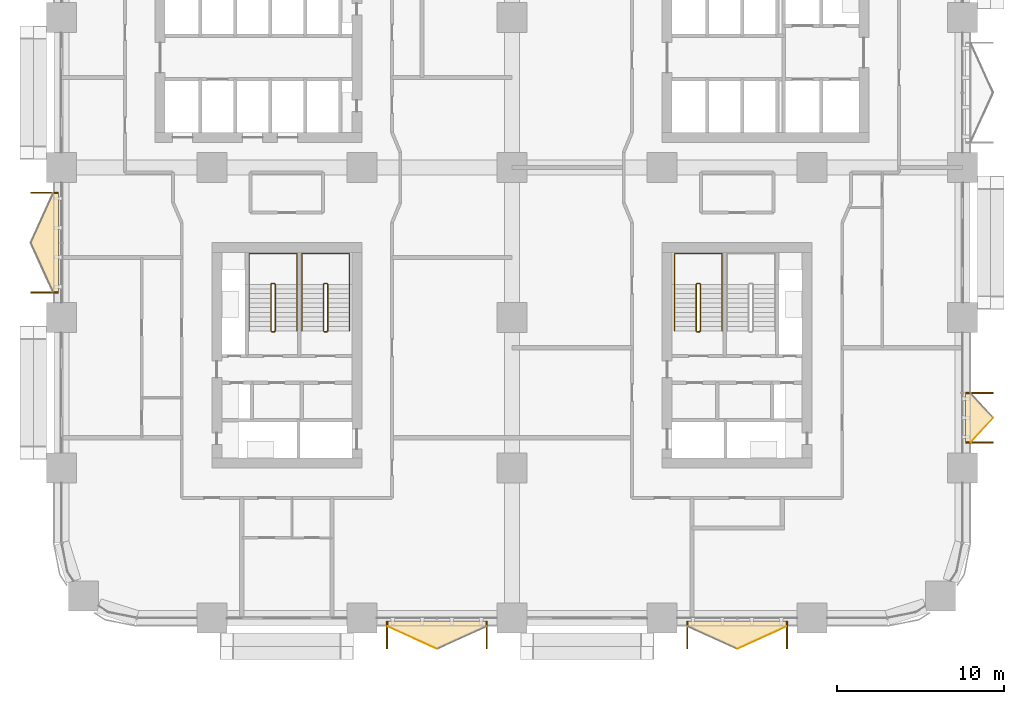
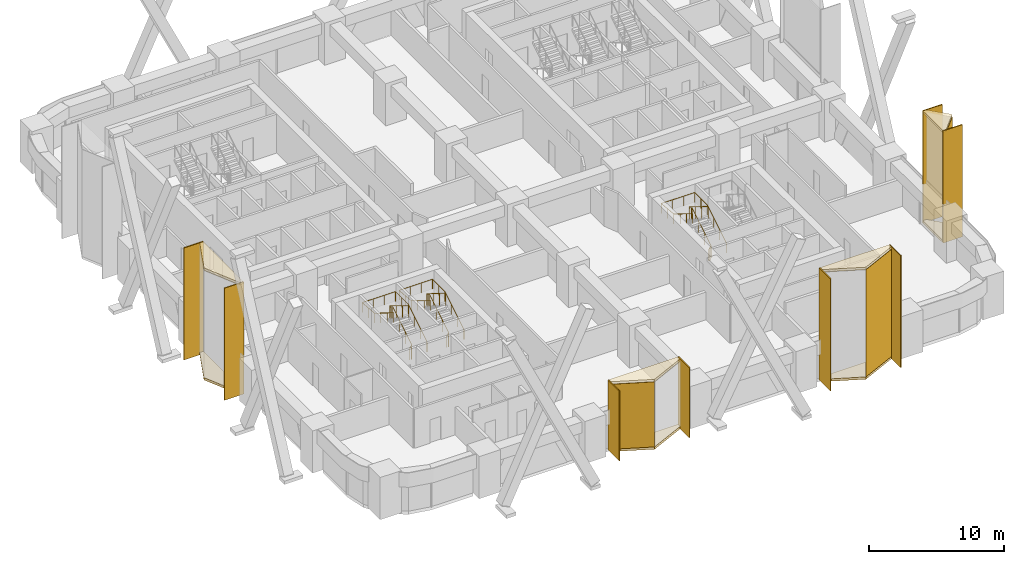
# One storey, part 24 of 26: 19 coverings, 6 railings.
"""IFC4 building model written with IfcOpenShell, lengths in metres."""

import ifcopenshell
import ifcopenshell.guid

model = None  # the IFC model being written
_history = None  # IfcOwnerHistory: only IFC2X3 demands one
_inside = {}  # id of a spatial element -> (the spatial element, [elements in it])
_under = {}  # id of a project, library or spatial element -> (it, [spatial elements below it])
_declared = {}  # id of a project -> (the project, [libraries it declares])
_typed = {}  # id of a type object -> (the type object, [elements of that type])
_made_of = {}  # id of a material, layer set ... -> (it, [elements and type objects made of it])


def new_model(schema):
    """Start an empty IFC model of exactly this schema.

    Asked for "IFC4X3", IfcOpenShell would pick the latest addendum, in which some entities
    have other attributes; the version numbers below select the first issue.
    IFC2X3 requires an IfcOwnerHistory on every rooted entity: one is made here for all.
    """
    global model, _history
    if schema == "IFC4X3":
        model = ifcopenshell.file(schema_version=(4, 3, 0, 0))
    else:
        model = ifcopenshell.file(schema=schema)
    _inside.clear()
    _under.clear()
    _declared.clear()
    _typed.clear()
    _made_of.clear()
    _history = None
    if model.schema == "IFC2X3":
        org = make("IfcOrganization", Name="unknown")
        user = make(
            "IfcPersonAndOrganization",
            ThePerson=make("IfcPerson", FamilyName="unknown"),
            TheOrganization=org,
        )
        app = make(
            "IfcApplication",
            ApplicationDeveloper=org,
            Version="unknown",
            ApplicationFullName="unknown",
            ApplicationIdentifier="unknown",
        )
        _history = make(
            "IfcOwnerHistory",
            OwningUser=user,
            OwningApplication=app,
            ChangeAction="ADDED",
            CreationDate=0,
        )
    return model


def make(cls, **values):
    """One entity of the class cls with the attributes given. An attribute that is None is left unset."""
    return model.create_entity(
        cls, **{name: value for name, value in values.items() if value is not None}
    )


def rooted(cls, **values):
    """An entity with a GlobalId (a new one), such as an element, a storey or a relation."""
    return make(cls, GlobalId=ifcopenshell.guid.new(), OwnerHistory=_history, **values)


def si_unit(unit_type, name, prefix=None):
    """IfcSIUnit, for example si_unit("LENGTHUNIT", "METRE", prefix="MILLI")."""
    return make("IfcSIUnit", UnitType=unit_type, Prefix=prefix, Name=name)


def assignment(units):
    """IfcUnitAssignment: the units of a project."""
    return None if units is None else make("IfcUnitAssignment", Units=units)


def point(xyz):
    """IfcCartesianPoint."""
    return None if xyz is None else make("IfcCartesianPoint", Coordinates=xyz)


def direction(xyz):
    """IfcDirection."""
    return None if xyz is None else make("IfcDirection", DirectionRatios=xyz)


def frame(location, z_axis=None, x_axis=None):
    """IfcAxis2Placement3D, a coordinate frame: its origin and axes. An axis left out is left unset."""
    return make(
        "IfcAxis2Placement3D",
        Location=point(location),
        Axis=direction(z_axis),
        RefDirection=direction(x_axis),
    )


def frame_2d(location, x_axis=None):
    """IfcAxis2Placement2D, a coordinate frame in the plane: its origin and x axis."""
    return make(
        "IfcAxis2Placement2D", Location=point(location), RefDirection=direction(x_axis)
    )


def origin():
    """The frame at (0, 0, 0) with its axes left unset."""
    return frame((0.0, 0.0, 0.0))


def origin_2d():
    """The frame at (0, 0) in the plane with its x axis left unset."""
    return frame_2d((0.0, 0.0))


def place(relative_to, where):
    """IfcLocalPlacement: puts the frame where relative to a parent placement (None: the world)."""
    return make(
        "IfcLocalPlacement", PlacementRelTo=relative_to, RelativePlacement=where
    )


def context(
    kind, dimensions, precision=None, world=None, true_north=None, identifier=None
):
    """IfcGeometricRepresentationContext, for example the 3D "Model" context."""
    return make(
        "IfcGeometricRepresentationContext",
        ContextIdentifier=identifier,
        ContextType=kind,
        CoordinateSpaceDimension=dimensions,
        Precision=precision,
        WorldCoordinateSystem=world,
        TrueNorth=true_north,
    )


def subcontext(parent, identifier, kind, view, scale=None):
    """IfcGeometricRepresentationSubContext, for example "Body" below "Model"."""
    return make(
        "IfcGeometricRepresentationSubContext",
        ContextIdentifier=identifier,
        ContextType=kind,
        ParentContext=parent,
        TargetScale=scale,
        TargetView=view,
    )


def project(units=None, contexts=None):
    """IfcProject with its units and contexts."""
    return rooted(
        "IfcProject",
        Name="project",
        RepresentationContexts=contexts,
        UnitsInContext=assignment(units),
    )


def spatial(cls, under=None, at=None, **own):
    """A site, building, storey or space (cls), placed at a placement, below another one or the project."""
    s = rooted(cls, ObjectPlacement=at, **own)
    if under is not None:
        _under.setdefault(under.id(), (under, []))[1].append(s)
    return s


def polyline(points):
    """IfcPolyline through the points."""
    return make("IfcPolyline", Points=[point(p) for p in points])


def profile(cls, at=None, kind="AREA", **sizes):
    """A parametric profile (cls). Its sizes go by their IFC names, for example OverallWidth=200.0."""
    return make(cls, ProfileType=kind, Position=at, **sizes)


def rectangle(**sizes):
    """IfcRectangleProfileDef."""
    return profile("IfcRectangleProfileDef", **sizes)


def circle(**sizes):
    """IfcCircleProfileDef."""
    return profile("IfcCircleProfileDef", **sizes)


def outline(outer, holes=None, kind="AREA"):
    """IfcArbitraryClosedProfileDef: a profile drawn as a closed curve; with holes, ...WithVoids."""
    if holes is None:
        return make("IfcArbitraryClosedProfileDef", ProfileType=kind, OuterCurve=outer)
    return make(
        "IfcArbitraryProfileDefWithVoids",
        ProfileType=kind,
        OuterCurve=outer,
        InnerCurves=holes,
    )


def extrude(swept, where, along, depth):
    """IfcExtrudedAreaSolid: the profile swept, set in the frame where, extruded along a direction by depth."""
    return make(
        "IfcExtrudedAreaSolid",
        SweptArea=swept,
        Position=where,
        ExtrudedDirection=direction(along),
        Depth=depth,
    )


def shape(context_of_items, identifier, shape_type, items):
    """IfcShapeRepresentation: the items that make up one representation, for example the "Body"."""
    return make(
        "IfcShapeRepresentation",
        ContextOfItems=context_of_items,
        RepresentationIdentifier=identifier,
        RepresentationType=shape_type,
        Items=items,
    )


def material(Name=None, Category=None):
    """IfcMaterial."""
    return make("IfcMaterial", Name=Name, Category=Category)


def layer(
    of_material, thickness, ventilated=None, Name=None, Category=None, Priority=None
):
    """IfcMaterialLayer: one layer of a wall or slab, of a material (None: an air gap)."""
    return make(
        "IfcMaterialLayer",
        Material=of_material,
        LayerThickness=thickness,
        IsVentilated=ventilated,
        Name=Name,
        Category=Category,
        Priority=Priority,
    )


def layer_set(layers, Name=None):
    """IfcMaterialLayerSet."""
    return make("IfcMaterialLayerSet", MaterialLayers=layers, LayerSetName=Name)


def made_of(thing, what):
    """Note that an element or type object is made of a material, layer set ...; save() writes the relation."""
    if what is not None:
        _made_of.setdefault(what.id(), (what, []))[1].append(thing)
    return thing


def type_object(cls, material=None, **own):
    """A type object (cls), such as IfcWallType, which elements share."""
    return made_of(rooted(cls, **own), material)


def element(
    cls,
    number,
    at=None,
    inside=None,
    cuts=None,
    type_object=None,
    material=None,
    context=None,
    identifier="Body",
    shape_type=None,
    held_by="IfcProductDefinitionShape",
    body=None,
    shapes=None,
    **own,
):
    """One element of the class cls, such as IfcWall. Its Tag is "e" and its number.

    at: its placement. inside: the storey or other place that contains it. cuts: it is an
    opening in that element (IfcRelVoidsElement). A single representation is given by context,
    identifier, shape_type and body (its items); several are given by shapes. held_by: the class
    of the entity that holds the representations. save() writes the other relations.
    """
    e = rooted(cls, Tag="e%d" % number, ObjectPlacement=at, **own)
    if body is not None:
        shapes = [shape(context, identifier, shape_type, body)]
    if shapes is not None:
        e.Representation = make(held_by, Representations=shapes)
    if inside is not None:
        _inside.setdefault(inside.id(), (inside, []))[1].append(e)
    if cuts is not None:
        rooted(
            "IfcRelVoidsElement", RelatingBuildingElement=cuts, RelatedOpeningElement=e
        )
    if type_object is not None:
        _typed.setdefault(type_object.id(), (type_object, []))[1].append(e)
    return made_of(e, material)


def aggregate(whole, parts):
    """IfcRelAggregates: a whole, such as a stair, and the parts it consists of."""
    return rooted("IfcRelAggregates", RelatingObject=whole, RelatedObjects=parts)


def save(model, path):
    """Write the relations noted so far, then the file.

    IfcRelAggregates (storeys below a building ...), IfcRelContainedInSpatialStructure (elements
    in a storey), IfcRelDefinesByType, IfcRelAssociatesMaterial and IfcRelDeclares: one each for
    every whole, place, type object, material and project.
    """
    for whole, parts in _under.values():
        aggregate(whole, parts)
    for where, things in _inside.values():
        rooted(
            "IfcRelContainedInSpatialStructure",
            RelatedElements=things,
            RelatingStructure=where,
        )
    for kind, things in _typed.values():
        rooted("IfcRelDefinesByType", RelatedObjects=things, RelatingType=kind)
    for what, things in _made_of.values():
        rooted("IfcRelAssociatesMaterial", RelatedObjects=things, RelatingMaterial=what)
    for by, libraries in _declared.values():
        rooted("IfcRelDeclares", RelatingContext=by, RelatedDefinitions=libraries)
    model.write(path)


model = new_model("IFC4")

# Units and contexts
model_context = context("Model", 3, precision=1e-05, world=origin(), true_north=direction((0.0, 1.0)))
body_context = subcontext(model_context, "Body", "Model", "MODEL_VIEW")
ifc_project = project(units=[si_unit("LENGTHUNIT", "METRE"), si_unit("AREAUNIT", "SQUARE_METRE"), si_unit("VOLUMEUNIT", "CUBIC_METRE"), si_unit("PLANEANGLEUNIT", "RADIAN"), si_unit("MASSUNIT", "GRAM", prefix="KILO")], contexts=[model_context])

# Site, building, storey
site_placement = place(None, origin())
site = spatial("IfcSite", under=ifc_project, at=site_placement, CompositionType="ELEMENT")
building_placement = place(site_placement, origin())
building = spatial("IfcBuilding", under=site, at=building_placement, Name="Tessera Arch", CompositionType="ELEMENT")
storey_placement = place(building_placement, frame((0.0, 0.0, 31.0)))
storey = spatial("IfcBuildingStorey", under=building, at=storey_placement, Name="L05", CompositionType="ELEMENT", Elevation=31.0)

# Railings
ifc_material_1 = material(Name="Painted steel balustrade", Category="steel")
railing_type_1 = type_object("IfcRailingType", Name="Stair guard 1100", PredefinedType="GUARDRAIL", material=ifc_material_1)
railing_1_placement = place(storey_placement, frame((38.25, 17.14990234375, 0.0)))
element("IfcRailing", 1, at=railing_1_placement, inside=storey, type_object=railing_type_1, Name="L05 S3a stair guard 1", PredefinedType="GUARDRAIL", context=body_context, shape_type="SweptSolid", body=[
    extrude(circle(Radius=0.02392578125, at=origin_2d()), frame((0.00390625, 0.0, 1.076171875), z_axis=(-1.0, 0.0, 0.0), x_axis=(0.0, -1.0, 0.0)), (0.0, 0.0, 1.0), 0.157958984375),
    extrude(circle(Radius=0.02392578125, at=origin_2d()), frame((-0.15283203125, -0.000732421875, 1.073486328125), z_axis=(0.743736083135, 0.18616104645, 0.642028584587), x_axis=(-0.242814311512, 0.970072785993, 0.0)), (0.0, 0.0, 1.0), 0.27685546875),
    extrude(circle(Radius=0.02392578125, at=origin_2d()), frame((0.050048828125, 0.046630859375, 1.24658203125), z_axis=(0.0, 0.851089632645, 0.525020415988), x_axis=(-1.0, 0.0, 0.0)), (0.0, 0.0, 1.0), 3.2978515625),
    extrude(circle(Radius=0.02392578125, at=origin_2d()), frame((0.052978515625, 2.84716796875, 2.97607421875), z_axis=(-0.707106781187, 0.707106781187, 0.0), x_axis=(-0.707106781187, -0.707106781187, 0.0)), (0.0, 0.0, 1.0), 0.078857421875),
    extrude(circle(Radius=0.02392578125, at=origin_2d()), frame((0.00390625, 2.900146484375, 2.97607421875), z_axis=(-1.0, 0.0, 0.0), x_axis=(0.0, -1.0, 0.0)), (0.0, 0.0, 1.0), 0.157958984375),
    extrude(circle(Radius=0.02392578125, at=origin_2d()), frame((-0.14892578125, 2.901123046875, 2.97216796875), z_axis=(-0.267953482034, -0.267953482034, 0.925419830635), x_axis=(0.707106781187, -0.707106781187, 0.0)), (0.0, 0.0, 1.0), 0.19482421875),
    extrude(circle(Radius=0.02392578125, at=origin_2d()), frame((-0.199951171875, 2.853515625, 3.146728515625), z_axis=(0.0, -0.851089632645, 0.525020415988), x_axis=(1.0, 0.0, 0.0)), (0.0, 0.0, 1.0), 3.2978515625),
    extrude(circle(Radius=0.02099609375, at=origin_2d()), origin(), (0.0, 0.0, 1.0), 1.06396484375),
    extrude(circle(Radius=0.02099609375, at=origin_2d()), frame((-0.14990234375, 0.0, 0.0)), (0.0, 0.0, 1.0), 1.06396484375),
    extrude(circle(Radius=0.02099609375, at=origin_2d()), frame((0.050048828125, 0.050048828125, 0.172607421875)), (0.0, 0.0, 1.0), 1.06396484375),
    extrude(circle(Radius=0.02099609375, at=origin_2d()), frame((0.050048828125, 0.9833984375, 0.748291015625)), (0.0, 0.0, 1.0), 1.06396484375),
    extrude(circle(Radius=0.02099609375, at=origin_2d()), frame((0.050048828125, 1.916748046875, 1.32421875)), (0.0, 0.0, 1.0), 1.06396484375),
    extrude(circle(Radius=0.02099609375, at=origin_2d()), frame((0.050048828125, 2.85009765625, 1.89990234375)), (0.0, 0.0, 1.0), 1.06396484375),
    extrude(circle(Radius=0.02099609375, at=origin_2d()), frame((0.0, 2.900146484375, 1.89990234375)), (0.0, 0.0, 1.0), 1.06396484375),
    extrude(circle(Radius=0.02099609375, at=origin_2d()), frame((-0.14990234375, 2.900146484375, 1.89990234375)), (0.0, 0.0, 1.0), 1.06396484375),
    extrude(circle(Radius=0.02099609375, at=origin_2d()), frame((-0.199951171875, 2.85009765625, 2.07275390625)), (0.0, 0.0, 1.0), 1.06396484375),
    extrude(circle(Radius=0.02099609375, at=origin_2d()), frame((-0.199951171875, 1.916748046875, 2.6484375)), (0.0, 0.0, 1.0), 1.06396484375),
    extrude(circle(Radius=0.02099609375, at=origin_2d()), frame((-0.199951171875, 0.9833984375, 3.224365234375)), (0.0, 0.0, 1.0), 1.06396484375),
    extrude(circle(Radius=0.02099609375, at=origin_2d()), frame((-0.199951171875, 0.050048828125, 3.800048828125)), (0.0, 0.0, 1.0), 1.06396484375),
])
railing_2_placement = place(storey_placement, frame((15.89990234375, 17.14990234375, 0.0)))
element("IfcRailing", 2, at=railing_2_placement, inside=storey, type_object=railing_type_1, Name="L05 S4a stair guard 1", PredefinedType="GUARDRAIL", context=body_context, shape_type="SweptSolid", body=[
    extrude(circle(Radius=0.02392578125, at=origin_2d()), frame((0.00390625, 0.0, 1.076171875), z_axis=(-1.0, 0.0, 0.0), x_axis=(0.0, -1.0, 0.0)), (0.0, 0.0, 1.0), 0.157958984375),
    extrude(circle(Radius=0.02392578125, at=origin_2d()), frame((-0.15283203125, -0.000732421875, 1.073486328125), z_axis=(0.743736083135, 0.18616104645, 0.642028584587), x_axis=(-0.242814311512, 0.970072785993, 0.0)), (0.0, 0.0, 1.0), 0.27685546875),
    extrude(circle(Radius=0.02392578125, at=origin_2d()), frame((0.050048828125, 0.046630859375, 1.24658203125), z_axis=(0.0, 0.851089632645, 0.525020415988), x_axis=(-1.0, 0.0, 0.0)), (0.0, 0.0, 1.0), 3.2978515625),
    extrude(circle(Radius=0.02392578125, at=origin_2d()), frame((0.052978515625, 2.84716796875, 2.97607421875), z_axis=(-0.707106781187, 0.707106781187, 0.0), x_axis=(-0.707106781187, -0.707106781187, 0.0)), (0.0, 0.0, 1.0), 0.078857421875),
    extrude(circle(Radius=0.02392578125, at=origin_2d()), frame((0.00390625, 2.900146484375, 2.97607421875), z_axis=(-1.0, 0.0, 0.0), x_axis=(0.0, -1.0, 0.0)), (0.0, 0.0, 1.0), 0.157958984375),
    extrude(circle(Radius=0.02392578125, at=origin_2d()), frame((-0.14892578125, 2.901123046875, 2.97216796875), z_axis=(-0.267953482034, -0.267953482034, 0.925419830635), x_axis=(0.707106781187, -0.707106781187, 0.0)), (0.0, 0.0, 1.0), 0.19482421875),
    extrude(circle(Radius=0.02392578125, at=origin_2d()), frame((-0.199951171875, 2.853515625, 3.146728515625), z_axis=(0.0, -0.851089632645, 0.525020415988), x_axis=(1.0, 0.0, 0.0)), (0.0, 0.0, 1.0), 3.2978515625),
    extrude(circle(Radius=0.02099609375, at=origin_2d()), origin(), (0.0, 0.0, 1.0), 1.06396484375),
    extrude(circle(Radius=0.02099609375, at=origin_2d()), frame((-0.14990234375, 0.0, 0.0)), (0.0, 0.0, 1.0), 1.06396484375),
    extrude(circle(Radius=0.02099609375, at=origin_2d()), frame((0.050048828125, 0.050048828125, 0.172607421875)), (0.0, 0.0, 1.0), 1.06396484375),
    extrude(circle(Radius=0.02099609375, at=origin_2d()), frame((0.050048828125, 0.9833984375, 0.748291015625)), (0.0, 0.0, 1.0), 1.06396484375),
    extrude(circle(Radius=0.02099609375, at=origin_2d()), frame((0.050048828125, 1.916748046875, 1.32421875)), (0.0, 0.0, 1.0), 1.06396484375),
    extrude(circle(Radius=0.02099609375, at=origin_2d()), frame((0.050048828125, 2.85009765625, 1.89990234375)), (0.0, 0.0, 1.0), 1.06396484375),
    extrude(circle(Radius=0.02099609375, at=origin_2d()), frame((0.0, 2.900146484375, 1.89990234375)), (0.0, 0.0, 1.0), 1.06396484375),
    extrude(circle(Radius=0.02099609375, at=origin_2d()), frame((-0.14990234375, 2.900146484375, 1.89990234375)), (0.0, 0.0, 1.0), 1.06396484375),
    extrude(circle(Radius=0.02099609375, at=origin_2d()), frame((-0.199951171875, 2.85009765625, 2.07275390625)), (0.0, 0.0, 1.0), 1.06396484375),
    extrude(circle(Radius=0.02099609375, at=origin_2d()), frame((-0.199951171875, 1.916748046875, 2.6484375)), (0.0, 0.0, 1.0), 1.06396484375),
    extrude(circle(Radius=0.02099609375, at=origin_2d()), frame((-0.199951171875, 0.9833984375, 3.224365234375)), (0.0, 0.0, 1.0), 1.06396484375),
    extrude(circle(Radius=0.02099609375, at=origin_2d()), frame((-0.199951171875, 0.050048828125, 3.800048828125)), (0.0, 0.0, 1.0), 1.06396484375),
])
railing_3_placement = place(storey_placement, frame((12.75, 17.14990234375, 0.0)))
element("IfcRailing", 3, at=railing_3_placement, inside=storey, type_object=railing_type_1, Name="L05 S4b stair guard 1", PredefinedType="GUARDRAIL", context=body_context, shape_type="SweptSolid", body=[
    extrude(circle(Radius=0.02392578125, at=origin_2d()), frame((0.00390625, 0.0, 1.076171875), z_axis=(-1.0, 0.0, 0.0), x_axis=(0.0, -1.0, 0.0)), (0.0, 0.0, 1.0), 0.157958984375),
    extrude(circle(Radius=0.02392578125, at=origin_2d()), frame((-0.15283203125, -0.000732421875, 1.073486328125), z_axis=(0.743736083135, 0.18616104645, 0.642028584587), x_axis=(-0.242814311512, 0.970072785993, 0.0)), (0.0, 0.0, 1.0), 0.27685546875),
    extrude(circle(Radius=0.02392578125, at=origin_2d()), frame((0.050048828125, 0.046630859375, 1.24658203125), z_axis=(0.0, 0.851089632645, 0.525020415988), x_axis=(-1.0, 0.0, 0.0)), (0.0, 0.0, 1.0), 3.2978515625),
    extrude(circle(Radius=0.02392578125, at=origin_2d()), frame((0.052978515625, 2.84716796875, 2.97607421875), z_axis=(-0.707106781187, 0.707106781187, 0.0), x_axis=(-0.707106781187, -0.707106781187, 0.0)), (0.0, 0.0, 1.0), 0.078857421875),
    extrude(circle(Radius=0.02392578125, at=origin_2d()), frame((0.00390625, 2.900146484375, 2.97607421875), z_axis=(-1.0, 0.0, 0.0), x_axis=(0.0, -1.0, 0.0)), (0.0, 0.0, 1.0), 0.157958984375),
    extrude(circle(Radius=0.02392578125, at=origin_2d()), frame((-0.14892578125, 2.901123046875, 2.97216796875), z_axis=(-0.267953482034, -0.267953482034, 0.925419830635), x_axis=(0.707106781187, -0.707106781187, 0.0)), (0.0, 0.0, 1.0), 0.19482421875),
    extrude(circle(Radius=0.02392578125, at=origin_2d()), frame((-0.199951171875, 2.853515625, 3.146728515625), z_axis=(0.0, -0.851089632645, 0.525020415988), x_axis=(1.0, 0.0, 0.0)), (0.0, 0.0, 1.0), 3.2978515625),
    extrude(circle(Radius=0.02099609375, at=origin_2d()), origin(), (0.0, 0.0, 1.0), 1.06396484375),
    extrude(circle(Radius=0.02099609375, at=origin_2d()), frame((-0.14990234375, 0.0, 0.0)), (0.0, 0.0, 1.0), 1.06396484375),
    extrude(circle(Radius=0.02099609375, at=origin_2d()), frame((0.050048828125, 0.050048828125, 0.172607421875)), (0.0, 0.0, 1.0), 1.06396484375),
    extrude(circle(Radius=0.02099609375, at=origin_2d()), frame((0.050048828125, 0.9833984375, 0.748291015625)), (0.0, 0.0, 1.0), 1.06396484375),
    extrude(circle(Radius=0.02099609375, at=origin_2d()), frame((0.050048828125, 1.916748046875, 1.32421875)), (0.0, 0.0, 1.0), 1.06396484375),
    extrude(circle(Radius=0.02099609375, at=origin_2d()), frame((0.050048828125, 2.85009765625, 1.89990234375)), (0.0, 0.0, 1.0), 1.06396484375),
    extrude(circle(Radius=0.02099609375, at=origin_2d()), frame((0.0, 2.900146484375, 1.89990234375)), (0.0, 0.0, 1.0), 1.06396484375),
    extrude(circle(Radius=0.02099609375, at=origin_2d()), frame((-0.14990234375, 2.900146484375, 1.89990234375)), (0.0, 0.0, 1.0), 1.06396484375),
    extrude(circle(Radius=0.02099609375, at=origin_2d()), frame((-0.199951171875, 2.85009765625, 2.07275390625)), (0.0, 0.0, 1.0), 1.06396484375),
    extrude(circle(Radius=0.02099609375, at=origin_2d()), frame((-0.199951171875, 1.916748046875, 2.6484375)), (0.0, 0.0, 1.0), 1.06396484375),
    extrude(circle(Radius=0.02099609375, at=origin_2d()), frame((-0.199951171875, 0.9833984375, 3.224365234375)), (0.0, 0.0, 1.0), 1.06396484375),
    extrude(circle(Radius=0.02099609375, at=origin_2d()), frame((-0.199951171875, 0.050048828125, 3.800048828125)), (0.0, 0.0, 1.0), 1.06396484375),
])
ifc_material_2 = material(Name="Painted steel handrail", Category="steel")
railing_type_2 = type_object("IfcRailingType", Name="Stair handrail 900", PredefinedType="HANDRAIL", material=ifc_material_2)
railing_4_placement = place(storey_placement, frame((39.60009765625, 17.199951171875, 0.172607421875)))
element("IfcRailing", 4, at=railing_4_placement, inside=storey, type_object=railing_type_2, Name="L05 S3a stair handrail", PredefinedType="HANDRAIL", context=body_context, shape_type="SweptSolid", body=[
    extrude(circle(Radius=0.02392578125, at=origin_2d()), frame((0.0, -0.00341796875, 0.873779296875), z_axis=(0.0, 0.851089632645, 0.525020415988), x_axis=(-1.0, 0.0, 0.0)), (0.0, 0.0, 1.0), 3.2978515625),
    extrude(circle(Radius=0.02392578125, at=origin_2d()), frame((0.0, 2.796142578125, 2.60302734375), z_axis=(0.0, 1.0, 0.0), x_axis=(-1.0, 0.0, 0.0)), (0.0, 0.0, 1.0), 1.858154296875),
    extrude(circle(Radius=0.02392578125, at=origin_2d()), frame((0.00390625, 4.650146484375, 2.60302734375), z_axis=(-1.0, 0.0, 0.0), x_axis=(0.0, -1.0, 0.0)), (0.0, 0.0, 1.0), 2.858154296875),
    extrude(circle(Radius=0.02392578125, at=origin_2d()), frame((-2.85009765625, 4.654052734375, 2.602783203125), z_axis=(0.0, -0.99566393824, 0.093023234135), x_axis=(1.0, 0.0, 0.0)), (0.0, 0.0, 1.0), 1.8662109375),
    extrude(circle(Radius=0.02392578125, at=origin_2d()), frame((-2.85009765625, 2.803466796875, 2.77392578125), z_axis=(0.0, -0.851089632645, 0.525020415988), x_axis=(1.0, 0.0, 0.0)), (0.0, 0.0, 1.0), 3.2978515625),
    extrude(circle(Radius=0.02099609375, at=origin_2d()), origin(), (0.0, 0.0, 1.0), 0.86376953125),
    extrude(circle(Radius=0.02099609375, at=origin_2d()), frame((0.0, 0.933349609375, 0.57568359375)), (0.0, 0.0, 1.0), 0.86376953125),
    extrude(circle(Radius=0.02099609375, at=origin_2d()), frame((0.0, 1.86669921875, 1.151611328125)), (0.0, 0.0, 1.0), 0.86376953125),
    extrude(circle(Radius=0.02099609375, at=origin_2d()), frame((0.0, 2.800048828125, 1.727294921875)), (0.0, 0.0, 1.0), 0.86376953125),
    extrude(circle(Radius=0.02099609375, at=origin_2d()), frame((0.0, 3.72509765625, 1.727294921875)), (0.0, 0.0, 1.0), 0.86376953125),
    extrude(circle(Radius=0.02099609375, at=origin_2d()), frame((0.0, 4.650146484375, 1.727294921875)), (0.0, 0.0, 1.0), 0.86376953125),
    extrude(circle(Radius=0.02099609375, at=origin_2d()), frame((-0.949951171875, 4.650146484375, 1.727294921875)), (0.0, 0.0, 1.0), 0.86376953125),
    extrude(circle(Radius=0.02099609375, at=origin_2d()), frame((-1.900146484375, 4.650146484375, 1.727294921875)), (0.0, 0.0, 1.0), 0.86376953125),
    extrude(circle(Radius=0.02099609375, at=origin_2d()), frame((-2.85009765625, 4.650146484375, 1.727294921875)), (0.0, 0.0, 1.0), 0.86376953125),
    extrude(circle(Radius=0.02099609375, at=origin_2d()), frame((-2.85009765625, 3.72509765625, 1.813720703125)), (0.0, 0.0, 1.0), 0.86376953125),
    extrude(circle(Radius=0.02099609375, at=origin_2d()), frame((-2.85009765625, 2.800048828125, 1.900146484375)), (0.0, 0.0, 1.0), 0.86376953125),
    extrude(circle(Radius=0.02099609375, at=origin_2d()), frame((-2.85009765625, 1.86669921875, 2.475830078125)), (0.0, 0.0, 1.0), 0.86376953125),
    extrude(circle(Radius=0.02099609375, at=origin_2d()), frame((-2.85009765625, 0.933349609375, 3.0517578125)), (0.0, 0.0, 1.0), 0.86376953125),
    extrude(circle(Radius=0.02099609375, at=origin_2d()), frame((-2.85009765625, 0.0, 3.62744140625)), (0.0, 0.0, 1.0), 0.86376953125),
])
railing_5_placement = place(storey_placement, frame((17.25, 17.199951171875, 0.172607421875)))
element("IfcRailing", 5, at=railing_5_placement, inside=storey, type_object=railing_type_2, Name="L05 S4a stair handrail", PredefinedType="HANDRAIL", context=body_context, shape_type="SweptSolid", body=[
    extrude(circle(Radius=0.02392578125, at=origin_2d()), frame((0.0, -0.00341796875, 0.873779296875), z_axis=(0.0, 0.851089632645, 0.525020415988), x_axis=(-1.0, 0.0, 0.0)), (0.0, 0.0, 1.0), 3.2978515625),
    extrude(circle(Radius=0.02392578125, at=origin_2d()), frame((0.0, 2.796142578125, 2.60302734375), z_axis=(0.0, 1.0, 0.0), x_axis=(-1.0, 0.0, 0.0)), (0.0, 0.0, 1.0), 1.858154296875),
    extrude(circle(Radius=0.02392578125, at=origin_2d()), frame((0.00390625, 4.650146484375, 2.60302734375), z_axis=(-1.0, 0.0, 0.0), x_axis=(0.0, -1.0, 0.0)), (0.0, 0.0, 1.0), 2.858154296875),
    extrude(circle(Radius=0.02392578125, at=origin_2d()), frame((-2.85009765625, 4.654052734375, 2.602783203125), z_axis=(0.0, -0.99566393824, 0.093023234135), x_axis=(1.0, 0.0, 0.0)), (0.0, 0.0, 1.0), 1.8662109375),
    extrude(circle(Radius=0.02392578125, at=origin_2d()), frame((-2.85009765625, 2.803466796875, 2.77392578125), z_axis=(0.0, -0.851089632645, 0.525020415988), x_axis=(1.0, 0.0, 0.0)), (0.0, 0.0, 1.0), 3.2978515625),
    extrude(circle(Radius=0.02099609375, at=origin_2d()), origin(), (0.0, 0.0, 1.0), 0.86376953125),
    extrude(circle(Radius=0.02099609375, at=origin_2d()), frame((0.0, 0.933349609375, 0.57568359375)), (0.0, 0.0, 1.0), 0.86376953125),
    extrude(circle(Radius=0.02099609375, at=origin_2d()), frame((0.0, 1.86669921875, 1.151611328125)), (0.0, 0.0, 1.0), 0.86376953125),
    extrude(circle(Radius=0.02099609375, at=origin_2d()), frame((0.0, 2.800048828125, 1.727294921875)), (0.0, 0.0, 1.0), 0.86376953125),
    extrude(circle(Radius=0.02099609375, at=origin_2d()), frame((0.0, 3.72509765625, 1.727294921875)), (0.0, 0.0, 1.0), 0.86376953125),
    extrude(circle(Radius=0.02099609375, at=origin_2d()), frame((0.0, 4.650146484375, 1.727294921875)), (0.0, 0.0, 1.0), 0.86376953125),
    extrude(circle(Radius=0.02099609375, at=origin_2d()), frame((-0.949951171875, 4.650146484375, 1.727294921875)), (0.0, 0.0, 1.0), 0.86376953125),
    extrude(circle(Radius=0.02099609375, at=origin_2d()), frame((-1.900146484375, 4.650146484375, 1.727294921875)), (0.0, 0.0, 1.0), 0.86376953125),
    extrude(circle(Radius=0.02099609375, at=origin_2d()), frame((-2.85009765625, 4.650146484375, 1.727294921875)), (0.0, 0.0, 1.0), 0.86376953125),
    extrude(circle(Radius=0.02099609375, at=origin_2d()), frame((-2.85009765625, 3.72509765625, 1.813720703125)), (0.0, 0.0, 1.0), 0.86376953125),
    extrude(circle(Radius=0.02099609375, at=origin_2d()), frame((-2.85009765625, 2.800048828125, 1.900146484375)), (0.0, 0.0, 1.0), 0.86376953125),
    extrude(circle(Radius=0.02099609375, at=origin_2d()), frame((-2.85009765625, 1.86669921875, 2.475830078125)), (0.0, 0.0, 1.0), 0.86376953125),
    extrude(circle(Radius=0.02099609375, at=origin_2d()), frame((-2.85009765625, 0.933349609375, 3.0517578125)), (0.0, 0.0, 1.0), 0.86376953125),
    extrude(circle(Radius=0.02099609375, at=origin_2d()), frame((-2.85009765625, 0.0, 3.62744140625)), (0.0, 0.0, 1.0), 0.86376953125),
])
railing_6_placement = place(storey_placement, frame((14.10009765625, 17.199951171875, 0.172607421875)))
element("IfcRailing", 6, at=railing_6_placement, inside=storey, type_object=railing_type_2, Name="L05 S4b stair handrail", PredefinedType="HANDRAIL", context=body_context, shape_type="SweptSolid", body=[
    extrude(circle(Radius=0.02392578125, at=origin_2d()), frame((0.0, -0.00341796875, 0.873779296875), z_axis=(0.0, 0.851089632645, 0.525020415988), x_axis=(-1.0, 0.0, 0.0)), (0.0, 0.0, 1.0), 3.2978515625),
    extrude(circle(Radius=0.02392578125, at=origin_2d()), frame((0.0, 2.796142578125, 2.60302734375), z_axis=(0.0, 1.0, 0.0), x_axis=(-1.0, 0.0, 0.0)), (0.0, 0.0, 1.0), 1.858154296875),
    extrude(circle(Radius=0.02392578125, at=origin_2d()), frame((0.00390625, 4.650146484375, 2.60302734375), z_axis=(-1.0, 0.0, 0.0), x_axis=(0.0, -1.0, 0.0)), (0.0, 0.0, 1.0), 2.858154296875),
    extrude(circle(Radius=0.02392578125, at=origin_2d()), frame((-2.85009765625, 4.654052734375, 2.602783203125), z_axis=(0.0, -0.99566393824, 0.093023234135), x_axis=(1.0, 0.0, 0.0)), (0.0, 0.0, 1.0), 1.8662109375),
    extrude(circle(Radius=0.02392578125, at=origin_2d()), frame((-2.85009765625, 2.803466796875, 2.77392578125), z_axis=(0.0, -0.851089632645, 0.525020415988), x_axis=(1.0, 0.0, 0.0)), (0.0, 0.0, 1.0), 3.2978515625),
    extrude(circle(Radius=0.02099609375, at=origin_2d()), origin(), (0.0, 0.0, 1.0), 0.86376953125),
    extrude(circle(Radius=0.02099609375, at=origin_2d()), frame((0.0, 0.933349609375, 0.57568359375)), (0.0, 0.0, 1.0), 0.86376953125),
    extrude(circle(Radius=0.02099609375, at=origin_2d()), frame((0.0, 1.86669921875, 1.151611328125)), (0.0, 0.0, 1.0), 0.86376953125),
    extrude(circle(Radius=0.02099609375, at=origin_2d()), frame((0.0, 2.800048828125, 1.727294921875)), (0.0, 0.0, 1.0), 0.86376953125),
    extrude(circle(Radius=0.02099609375, at=origin_2d()), frame((0.0, 3.72509765625, 1.727294921875)), (0.0, 0.0, 1.0), 0.86376953125),
    extrude(circle(Radius=0.02099609375, at=origin_2d()), frame((0.0, 4.650146484375, 1.727294921875)), (0.0, 0.0, 1.0), 0.86376953125),
    extrude(circle(Radius=0.02099609375, at=origin_2d()), frame((-0.949951171875, 4.650146484375, 1.727294921875)), (0.0, 0.0, 1.0), 0.86376953125),
    extrude(circle(Radius=0.02099609375, at=origin_2d()), frame((-1.900146484375, 4.650146484375, 1.727294921875)), (0.0, 0.0, 1.0), 0.86376953125),
    extrude(circle(Radius=0.02099609375, at=origin_2d()), frame((-2.85009765625, 4.650146484375, 1.727294921875)), (0.0, 0.0, 1.0), 0.86376953125),
    extrude(circle(Radius=0.02099609375, at=origin_2d()), frame((-2.85009765625, 3.72509765625, 1.813720703125)), (0.0, 0.0, 1.0), 0.86376953125),
    extrude(circle(Radius=0.02099609375, at=origin_2d()), frame((-2.85009765625, 2.800048828125, 1.900146484375)), (0.0, 0.0, 1.0), 0.86376953125),
    extrude(circle(Radius=0.02099609375, at=origin_2d()), frame((-2.85009765625, 1.86669921875, 2.475830078125)), (0.0, 0.0, 1.0), 0.86376953125),
    extrude(circle(Radius=0.02099609375, at=origin_2d()), frame((-2.85009765625, 0.933349609375, 3.0517578125)), (0.0, 0.0, 1.0), 0.86376953125),
    extrude(circle(Radius=0.02099609375, at=origin_2d()), frame((-2.85009765625, 0.0, 3.62744140625)), (0.0, 0.0, 1.0), 0.86376953125),
])

# Coverings
ifc_material_3 = material(Name="Anodised aluminium pale metal", Category="aluminium")
ifc_layer_1 = layer(ifc_material_3, 0.080078125)
ifc_layer_set_1 = layer_set([ifc_layer_1], Name="Window box cheek")
covering_type_1 = type_object("IfcCoveringType", Name="Window box cheek", PredefinedType="CLADDING", material=ifc_layer_set_1)
covering_1_placement = place(storey_placement, origin())
element("IfcCovering", 7, at=covering_1_placement, inside=storey, type_object=covering_type_1, Name="Window box W0.0/3.0 2x3 cheek", PredefinedType="CLADDING", context=body_context, shape_type="SweptSolid", body=[
    extrude(outline(polyline([(-1.85009765625, 25.530029296875), (-1.85009765625, 25.449951171875), (-0.199951171875, 25.449951171875), (-0.199951171875, 25.530029296875), (-1.85009765625, 25.530029296875)])), origin(), (0.0, 0.0, 1.0), 10.10009765625),
])
covering_2_placement = place(storey_placement, origin())
element("IfcCovering", 8, at=covering_2_placement, inside=storey, type_object=covering_type_1, Name="Window box W0.0/3.0 2x3 cheek", PredefinedType="CLADDING", context=body_context, shape_type="SweptSolid", body=[
    extrude(outline(polyline([(-1.85009765625, 19.550048828125), (-1.85009765625, 19.469970703125), (-0.199951171875, 19.469970703125), (-0.199951171875, 19.550048828125), (-1.85009765625, 19.550048828125)])), origin(), (0.0, 0.0, 1.0), 10.10009765625),
])
covering_3_placement = place(storey_placement, origin())
element("IfcCovering", 9, at=covering_3_placement, inside=storey, type_object=covering_type_1, Name="Window box S0.0/3.0 2x3 cheek", PredefinedType="CLADDING", context=body_context, shape_type="SweptSolid", body=[
    extrude(outline(polyline([(37.469970703125, -1.85009765625), (37.550048828125, -1.85009765625), (37.550048828125, -0.199951171875), (37.469970703125, -0.199951171875), (37.469970703125, -1.85009765625)])), origin(), (0.0, 0.0, 1.0), 10.10009765625),
])
covering_4_placement = place(storey_placement, origin())
element("IfcCovering", 10, at=covering_4_placement, inside=storey, type_object=covering_type_1, Name="Window box S0.0/3.0 2x3 cheek", PredefinedType="CLADDING", context=body_context, shape_type="SweptSolid", body=[
    extrude(outline(polyline([(43.449951171875, -1.85009765625), (43.530029296875, -1.85009765625), (43.530029296875, -0.199951171875), (43.449951171875, -0.199951171875), (43.449951171875, -1.85009765625)])), origin(), (0.0, 0.0, 1.0), 10.10009765625),
])
covering_5_placement = place(storey_placement, origin())
element("IfcCovering", 11, at=covering_5_placement, inside=storey, type_object=covering_type_1, Name="Window box E54.0/1.0 1x3 cheek", PredefinedType="CLADDING", context=body_context, shape_type="SweptSolid", body=[
    extrude(outline(polyline([(55.85009765625, 10.469970703125), (55.85009765625, 10.550048828125), (54.199951171875, 10.550048828125), (54.199951171875, 10.469970703125), (55.85009765625, 10.469970703125)])), origin(), (0.0, 0.0, 1.0), 10.10009765625),
])
covering_6_placement = place(storey_placement, origin())
element("IfcCovering", 12, at=covering_6_placement, inside=storey, type_object=covering_type_1, Name="Window box E54.0/1.0 1x3 cheek", PredefinedType="CLADDING", context=body_context, shape_type="SweptSolid", body=[
    extrude(outline(polyline([(55.85009765625, 13.449951171875), (55.85009765625, 13.530029296875), (54.199951171875, 13.530029296875), (54.199951171875, 13.449951171875), (55.85009765625, 13.449951171875)])), origin(), (0.0, 0.0, 1.0), 10.10009765625),
])
covering_7_placement = place(storey_placement, origin())
element("IfcCovering", 13, at=covering_7_placement, inside=storey, type_object=covering_type_1, Name="Window box S0.0/1.0 2x2 cheek", PredefinedType="CLADDING", context=body_context, shape_type="SweptSolid", body=[
    extrude(outline(polyline([(19.469970703125, -1.85009765625), (19.550048828125, -1.85009765625), (19.550048828125, -0.199951171875), (19.469970703125, -0.199951171875), (19.469970703125, -1.85009765625)])), origin(), (0.0, 0.0, 1.0), 6.300048828125),
])
covering_8_placement = place(storey_placement, origin())
element("IfcCovering", 14, at=covering_8_placement, inside=storey, type_object=covering_type_1, Name="Window box S0.0/1.0 2x2 cheek", PredefinedType="CLADDING", context=body_context, shape_type="SweptSolid", body=[
    extrude(outline(polyline([(25.449951171875, -1.85009765625), (25.530029296875, -1.85009765625), (25.530029296875, -0.199951171875), (25.449951171875, -0.199951171875), (25.449951171875, -1.85009765625)])), origin(), (0.0, 0.0, 1.0), 6.300048828125),
])
ifc_material_4 = material(Name="Anodised aluminium cobalt blue", Category="aluminium")
ifc_layer_2 = layer(ifc_material_4, 0.219970703125)
ifc_layer_set_2 = layer_set([ifc_layer_2], Name="Window box frame plate cobalt")
covering_type_2 = type_object("IfcCoveringType", Name="Window box frame plate cobalt", PredefinedType="CLADDING", material=ifc_layer_set_2)
covering_9_placement = place(storey_placement, origin())
element("IfcCovering", 15, at=covering_9_placement, inside=storey, type_object=covering_type_2, Name="Window box W0.0/3.0 2x3 floor", PredefinedType="CLADDING", context=body_context, shape_type="SweptSolid", body=[
    extrude(outline(polyline([(-0.510009765625, 25.449951171875), (-1.85009765625, 22.5), (-0.510009765625, 19.550048828125), (-0.199951171875, 19.550048828125), (-0.199951171875, 25.449951171875), (-0.510009765625, 25.449951171875)])), origin(), (0.0, 0.0, 1.0), 0.219970703125),
])
covering_10_placement = place(storey_placement, frame((0.0, 0.0, 9.8798828125)))
element("IfcCovering", 16, at=covering_10_placement, inside=storey, type_object=covering_type_2, Name="Window box W0.0/3.0 2x3 roof", PredefinedType="CLADDING", context=body_context, shape_type="SweptSolid", body=[
    extrude(outline(polyline([(-0.510009765625, 25.449951171875), (-1.85009765625, 22.5), (-0.510009765625, 19.550048828125), (-0.199951171875, 19.550048828125), (-0.199951171875, 25.449951171875), (-0.510009765625, 25.449951171875)])), origin(), (0.0, 0.0, 1.0), 0.22021484375),
])
ifc_material_5 = material(Name="Anodised aluminium pale metal", Category="aluminium")
ifc_layer_3 = layer(ifc_material_5, 0.219970703125)
ifc_layer_set_3 = layer_set([ifc_layer_3], Name="Window box frame plate pale metal")
covering_type_3 = type_object("IfcCoveringType", Name="Window box frame plate pale metal", PredefinedType="CLADDING", material=ifc_layer_set_3)
covering_11_placement = place(storey_placement, origin())
element("IfcCovering", 17, at=covering_11_placement, inside=storey, type_object=covering_type_3, Name="Window box S0.0/3.0 2x3 floor", PredefinedType="CLADDING", context=body_context, shape_type="SweptSolid", body=[
    extrude(outline(polyline([(37.550048828125, -0.510009765625), (40.5, -1.85009765625), (43.449951171875, -0.510009765625), (43.449951171875, -0.199951171875), (37.550048828125, -0.199951171875), (37.550048828125, -0.510009765625)])), origin(), (0.0, 0.0, 1.0), 0.219970703125),
])
covering_12_placement = place(storey_placement, frame((0.0, 0.0, 9.8798828125)))
element("IfcCovering", 18, at=covering_12_placement, inside=storey, type_object=covering_type_3, Name="Window box S0.0/3.0 2x3 roof", PredefinedType="CLADDING", context=body_context, shape_type="SweptSolid", body=[
    extrude(outline(polyline([(37.550048828125, -0.510009765625), (40.5, -1.85009765625), (43.449951171875, -0.510009765625), (43.449951171875, -0.199951171875), (37.550048828125, -0.199951171875), (37.550048828125, -0.510009765625)])), origin(), (0.0, 0.0, 1.0), 0.22021484375),
])
covering_13_placement = place(storey_placement, origin())
element("IfcCovering", 19, at=covering_13_placement, inside=storey, type_object=covering_type_3, Name="Window box E54.0/1.0 1x3 floor", PredefinedType="CLADDING", context=body_context, shape_type="SweptSolid", body=[
    extrude(outline(polyline([(54.510009765625, 10.550048828125), (55.85009765625, 12.0), (54.510009765625, 13.449951171875), (54.199951171875, 13.449951171875), (54.199951171875, 10.550048828125), (54.510009765625, 10.550048828125)])), origin(), (0.0, 0.0, 1.0), 0.219970703125),
])
covering_14_placement = place(storey_placement, frame((0.0, 0.0, 9.8798828125)))
element("IfcCovering", 20, at=covering_14_placement, inside=storey, type_object=covering_type_3, Name="Window box E54.0/1.0 1x3 roof", PredefinedType="CLADDING", context=body_context, shape_type="SweptSolid", body=[
    extrude(outline(polyline([(54.510009765625, 10.550048828125), (55.85009765625, 12.0), (54.510009765625, 13.449951171875), (54.199951171875, 13.449951171875), (54.199951171875, 10.550048828125), (54.510009765625, 10.550048828125)])), origin(), (0.0, 0.0, 1.0), 0.22021484375),
])
ifc_material_6 = material(Name="Anodised aluminium turquoise", Category="aluminium")
ifc_layer_4 = layer(ifc_material_6, 0.219970703125)
ifc_layer_set_4 = layer_set([ifc_layer_4], Name="Window box frame plate turquoise")
covering_type_4 = type_object("IfcCoveringType", Name="Window box frame plate turquoise", PredefinedType="CLADDING", material=ifc_layer_set_4)
for number, where, name in (
    (21, (0.0, 0.0, 0.0), "Window box S0.0/1.0 2x2 floor"),
    (22, (0.0, 0.0, 6.080078125), "Window box S0.0/1.0 2x2 roof"),
):
    element("IfcCovering", number, at=place(storey_placement, frame(where)), inside=storey, type_object=covering_type_4, Name=name, PredefinedType="CLADDING", context=body_context, shape_type="SweptSolid", body=[
        extrude(outline(polyline([(19.550048828125, -0.510009765625), (22.5, -1.85009765625), (25.449951171875, -0.510009765625), (25.449951171875, -0.199951171875), (19.550048828125, -0.199951171875), (19.550048828125, -0.510009765625)])), origin(), (0.0, 0.0, 1.0), 0.219970703125),
    ])
ifc_material_7 = material(Name="Anodised aluminium pale metal", Category="aluminium")
ifc_layer_5 = layer(ifc_material_7, 0.028076171875)
ifc_layer_set_5 = layer_set([ifc_layer_5], Name="Window box side panel")
covering_type_5 = type_object("IfcCoveringType", Name="Window box side panel", PredefinedType="CLADDING", material=ifc_layer_set_5)
covering_15_placement = place(storey_placement, frame((41.97509765625, -1.179931640625, 0.22021484375), z_axis=(0.0, 0.0, 1.0), x_axis=(-0.910472144558, -0.413570397858, 0.0)))
element("IfcCovering", 23, at=covering_15_placement, inside=storey, type_object=covering_type_5, Name="Window box S0.0/3.0 2x3 side panel", PredefinedType="CLADDING", context=body_context, shape_type="SweptSolid", body=[
    extrude(rectangle(XDim=3.239990234375, YDim=0.028076171875, at=origin_2d()), origin(), (0.0, 0.0, 1.0), 9.659912109375),
])
covering_16_placement = place(storey_placement, frame((55.179931640625, 11.27490234375, 0.22021484375), z_axis=(0.0, 0.0, 1.0), x_axis=(0.678700720617, 0.734414958885, 0.0)))
element("IfcCovering", 24, at=covering_16_placement, inside=storey, type_object=covering_type_5, Name="Window box E54.0/1.0 1x3 side panel", PredefinedType="CLADDING", context=body_context, shape_type="SweptSolid", body=[
    extrude(rectangle(XDim=1.974365234375, YDim=0.028076171875, at=origin_2d()), origin(), (0.0, 0.0, 1.0), 9.659912109375),
])
covering_17_placement = place(storey_placement, frame((21.02490234375, -1.179931640625, 0.2197265625), z_axis=(0.0, 0.0, 1.0), x_axis=(0.910472144558, -0.413570397858, 0.0)))
element("IfcCovering", 25, at=covering_17_placement, inside=storey, type_object=covering_type_5, Name="Window box S0.0/1.0 2x2 side panel", PredefinedType="CLADDING", context=body_context, shape_type="SweptSolid", body=[
    extrude(rectangle(XDim=3.239990234375, YDim=0.028076171875, at=origin_2d()), origin(), (0.0, 0.0, 1.0), 5.860107421875),
])

save(model, "model.ifc")
